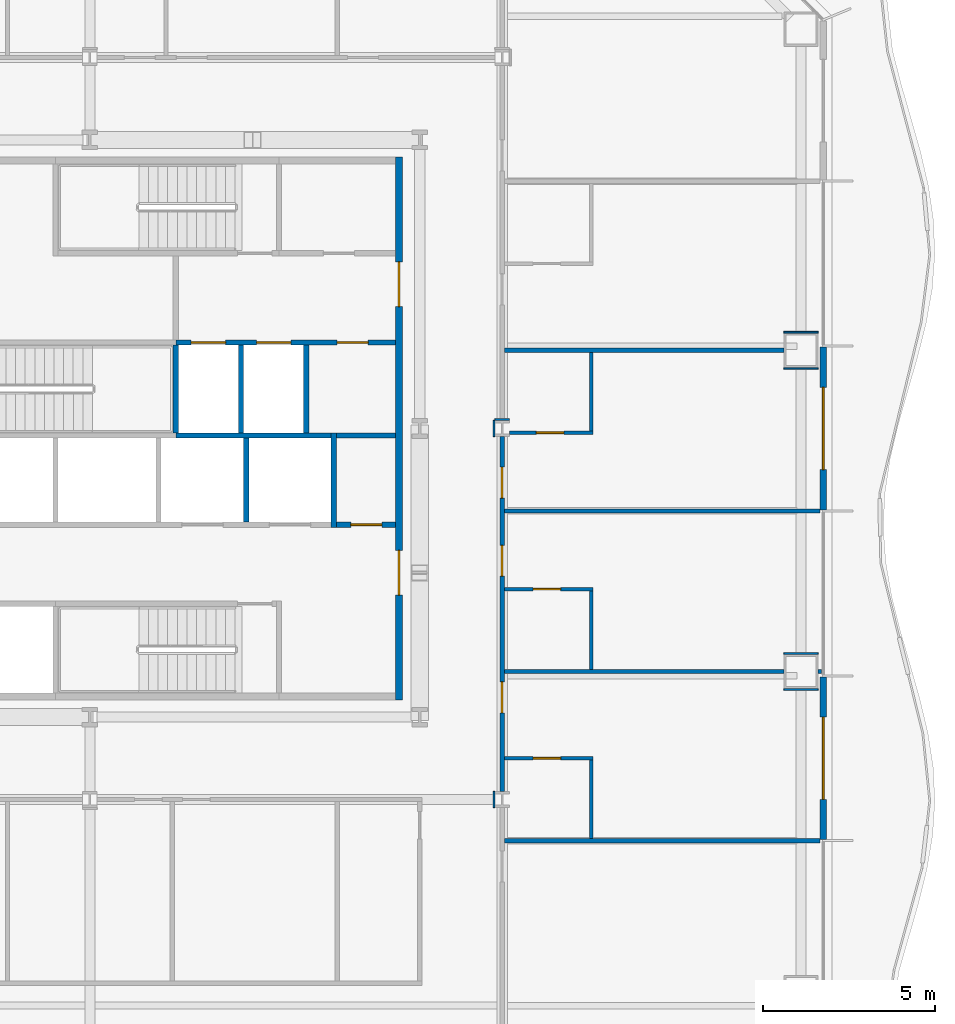
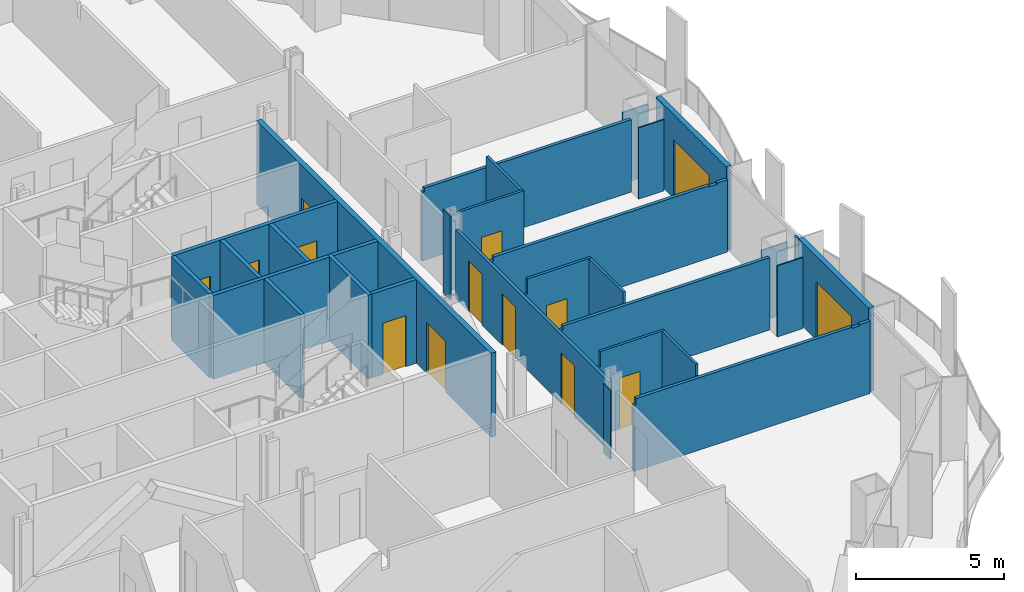
# One storey, part 10 of 20: 31 walls, 14 doors, 14 openings.
"""IFC4 building model written with IfcOpenShell, lengths in metres."""

import ifcopenshell
import ifcopenshell.guid

model = None  # the IFC model being written
_history = None  # IfcOwnerHistory: only IFC2X3 demands one
_inside = {}  # id of a spatial element -> (the spatial element, [elements in it])
_under = {}  # id of a project, library or spatial element -> (it, [spatial elements below it])
_declared = {}  # id of a project -> (the project, [libraries it declares])
_typed = {}  # id of a type object -> (the type object, [elements of that type])
_made_of = {}  # id of a material, layer set ... -> (it, [elements and type objects made of it])


def new_model(schema):
    """Start an empty IFC model of exactly this schema.

    Asked for "IFC4X3", IfcOpenShell would pick the latest addendum, in which some entities
    have other attributes; the version numbers below select the first issue.
    IFC2X3 requires an IfcOwnerHistory on every rooted entity: one is made here for all.
    """
    global model, _history
    if schema == "IFC4X3":
        model = ifcopenshell.file(schema_version=(4, 3, 0, 0))
    else:
        model = ifcopenshell.file(schema=schema)
    _inside.clear()
    _under.clear()
    _declared.clear()
    _typed.clear()
    _made_of.clear()
    _history = None
    if model.schema == "IFC2X3":
        org = make("IfcOrganization", Name="unknown")
        user = make(
            "IfcPersonAndOrganization",
            ThePerson=make("IfcPerson", FamilyName="unknown"),
            TheOrganization=org,
        )
        app = make(
            "IfcApplication",
            ApplicationDeveloper=org,
            Version="unknown",
            ApplicationFullName="unknown",
            ApplicationIdentifier="unknown",
        )
        _history = make(
            "IfcOwnerHistory",
            OwningUser=user,
            OwningApplication=app,
            ChangeAction="ADDED",
            CreationDate=0,
        )
    return model


def make(cls, **values):
    """One entity of the class cls with the attributes given. An attribute that is None is left unset."""
    return model.create_entity(
        cls, **{name: value for name, value in values.items() if value is not None}
    )


def rooted(cls, **values):
    """An entity with a GlobalId (a new one), such as an element, a storey or a relation."""
    return make(cls, GlobalId=ifcopenshell.guid.new(), OwnerHistory=_history, **values)


def si_unit(unit_type, name, prefix=None):
    """IfcSIUnit, for example si_unit("LENGTHUNIT", "METRE", prefix="MILLI")."""
    return make("IfcSIUnit", UnitType=unit_type, Prefix=prefix, Name=name)


def assignment(units):
    """IfcUnitAssignment: the units of a project."""
    return None if units is None else make("IfcUnitAssignment", Units=units)


def point(xyz):
    """IfcCartesianPoint."""
    return None if xyz is None else make("IfcCartesianPoint", Coordinates=xyz)


def direction(xyz):
    """IfcDirection."""
    return None if xyz is None else make("IfcDirection", DirectionRatios=xyz)


def frame(location, z_axis=None, x_axis=None):
    """IfcAxis2Placement3D, a coordinate frame: its origin and axes. An axis left out is left unset."""
    return make(
        "IfcAxis2Placement3D",
        Location=point(location),
        Axis=direction(z_axis),
        RefDirection=direction(x_axis),
    )


def frame_2d(location, x_axis=None):
    """IfcAxis2Placement2D, a coordinate frame in the plane: its origin and x axis."""
    return make(
        "IfcAxis2Placement2D", Location=point(location), RefDirection=direction(x_axis)
    )


def origin():
    """The frame at (0, 0, 0) with its axes left unset."""
    return frame((0.0, 0.0, 0.0))


def place(relative_to, where):
    """IfcLocalPlacement: puts the frame where relative to a parent placement (None: the world)."""
    return make(
        "IfcLocalPlacement", PlacementRelTo=relative_to, RelativePlacement=where
    )


def context(
    kind, dimensions, precision=None, world=None, true_north=None, identifier=None
):
    """IfcGeometricRepresentationContext, for example the 3D "Model" context."""
    return make(
        "IfcGeometricRepresentationContext",
        ContextIdentifier=identifier,
        ContextType=kind,
        CoordinateSpaceDimension=dimensions,
        Precision=precision,
        WorldCoordinateSystem=world,
        TrueNorth=true_north,
    )


def subcontext(parent, identifier, kind, view, scale=None):
    """IfcGeometricRepresentationSubContext, for example "Body" below "Model"."""
    return make(
        "IfcGeometricRepresentationSubContext",
        ContextIdentifier=identifier,
        ContextType=kind,
        ParentContext=parent,
        TargetScale=scale,
        TargetView=view,
    )


def project(units=None, contexts=None):
    """IfcProject with its units and contexts."""
    return rooted(
        "IfcProject",
        Name="project",
        RepresentationContexts=contexts,
        UnitsInContext=assignment(units),
    )


def spatial(cls, under=None, at=None, **own):
    """A site, building, storey or space (cls), placed at a placement, below another one or the project."""
    s = rooted(cls, ObjectPlacement=at, **own)
    if under is not None:
        _under.setdefault(under.id(), (under, []))[1].append(s)
    return s


def polyline(points):
    """IfcPolyline through the points."""
    return make("IfcPolyline", Points=[point(p) for p in points])


def profile(cls, at=None, kind="AREA", **sizes):
    """A parametric profile (cls). Its sizes go by their IFC names, for example OverallWidth=200.0."""
    return make(cls, ProfileType=kind, Position=at, **sizes)


def rectangle(**sizes):
    """IfcRectangleProfileDef."""
    return profile("IfcRectangleProfileDef", **sizes)


def outline(outer, holes=None, kind="AREA"):
    """IfcArbitraryClosedProfileDef: a profile drawn as a closed curve; with holes, ...WithVoids."""
    if holes is None:
        return make("IfcArbitraryClosedProfileDef", ProfileType=kind, OuterCurve=outer)
    return make(
        "IfcArbitraryProfileDefWithVoids",
        ProfileType=kind,
        OuterCurve=outer,
        InnerCurves=holes,
    )


def extrude(swept, where, along, depth):
    """IfcExtrudedAreaSolid: the profile swept, set in the frame where, extruded along a direction by depth."""
    return make(
        "IfcExtrudedAreaSolid",
        SweptArea=swept,
        Position=where,
        ExtrudedDirection=direction(along),
        Depth=depth,
    )


def shape(context_of_items, identifier, shape_type, items):
    """IfcShapeRepresentation: the items that make up one representation, for example the "Body"."""
    return make(
        "IfcShapeRepresentation",
        ContextOfItems=context_of_items,
        RepresentationIdentifier=identifier,
        RepresentationType=shape_type,
        Items=items,
    )


def material(Name=None, Category=None):
    """IfcMaterial."""
    return make("IfcMaterial", Name=Name, Category=Category)


def layer(
    of_material, thickness, ventilated=None, Name=None, Category=None, Priority=None
):
    """IfcMaterialLayer: one layer of a wall or slab, of a material (None: an air gap)."""
    return make(
        "IfcMaterialLayer",
        Material=of_material,
        LayerThickness=thickness,
        IsVentilated=ventilated,
        Name=Name,
        Category=Category,
        Priority=Priority,
    )


def layer_set(layers, Name=None):
    """IfcMaterialLayerSet."""
    return make("IfcMaterialLayerSet", MaterialLayers=layers, LayerSetName=Name)


def made_of(thing, what):
    """Note that an element or type object is made of a material, layer set ...; save() writes the relation."""
    if what is not None:
        _made_of.setdefault(what.id(), (what, []))[1].append(thing)
    return thing


def type_object(cls, material=None, **own):
    """A type object (cls), such as IfcWallType, which elements share."""
    return made_of(rooted(cls, **own), material)


def element(
    cls,
    number,
    at=None,
    inside=None,
    cuts=None,
    type_object=None,
    material=None,
    context=None,
    identifier="Body",
    shape_type=None,
    held_by="IfcProductDefinitionShape",
    body=None,
    shapes=None,
    **own,
):
    """One element of the class cls, such as IfcWall. Its Tag is "e" and its number.

    at: its placement. inside: the storey or other place that contains it. cuts: it is an
    opening in that element (IfcRelVoidsElement). A single representation is given by context,
    identifier, shape_type and body (its items); several are given by shapes. held_by: the class
    of the entity that holds the representations. save() writes the other relations.
    """
    e = rooted(cls, Tag="e%d" % number, ObjectPlacement=at, **own)
    if body is not None:
        shapes = [shape(context, identifier, shape_type, body)]
    if shapes is not None:
        e.Representation = make(held_by, Representations=shapes)
    if inside is not None:
        _inside.setdefault(inside.id(), (inside, []))[1].append(e)
    if cuts is not None:
        rooted(
            "IfcRelVoidsElement", RelatingBuildingElement=cuts, RelatedOpeningElement=e
        )
    if type_object is not None:
        _typed.setdefault(type_object.id(), (type_object, []))[1].append(e)
    return made_of(e, material)


def fill(opening, filler):
    """IfcRelFillsElement: the door or window that sits in an opening."""
    return rooted(
        "IfcRelFillsElement",
        RelatingOpeningElement=opening,
        RelatedBuildingElement=filler,
    )


def aggregate(whole, parts):
    """IfcRelAggregates: a whole, such as a stair, and the parts it consists of."""
    return rooted("IfcRelAggregates", RelatingObject=whole, RelatedObjects=parts)


def save(model, path):
    """Write the relations noted so far, then the file.

    IfcRelAggregates (storeys below a building ...), IfcRelContainedInSpatialStructure (elements
    in a storey), IfcRelDefinesByType, IfcRelAssociatesMaterial and IfcRelDeclares: one each for
    every whole, place, type object, material and project.
    """
    for whole, parts in _under.values():
        aggregate(whole, parts)
    for where, things in _inside.values():
        rooted(
            "IfcRelContainedInSpatialStructure",
            RelatedElements=things,
            RelatingStructure=where,
        )
    for kind, things in _typed.values():
        rooted("IfcRelDefinesByType", RelatedObjects=things, RelatingType=kind)
    for what, things in _made_of.values():
        rooted("IfcRelAssociatesMaterial", RelatedObjects=things, RelatingMaterial=what)
    for by, libraries in _declared.values():
        rooted("IfcRelDeclares", RelatingContext=by, RelatedDefinitions=libraries)
    model.write(path)


model = new_model("IFC4")

# Units and contexts
model_context = context("Model", 3, precision=1e-05, world=origin(), true_north=direction((0.0, 1.0)))
body_context = subcontext(model_context, "Body", "Model", "MODEL_VIEW")
ifc_project = project(units=[si_unit("LENGTHUNIT", "METRE"), si_unit("AREAUNIT", "SQUARE_METRE"), si_unit("VOLUMEUNIT", "CUBIC_METRE"), si_unit("PLANEANGLEUNIT", "RADIAN"), si_unit("MASSUNIT", "GRAM", prefix="KILO")], contexts=[model_context])

# Site, building, storey
site_placement = place(None, origin())
site = spatial("IfcSite", under=ifc_project, at=site_placement, CompositionType="ELEMENT")
building_placement = place(site_placement, origin())
building = spatial("IfcBuilding", under=site, at=building_placement, Name="Cairn Pilgrim Tower", CompositionType="ELEMENT")
storey_placement = place(building_placement, frame((0.0, 0.0, 61.800048828125)))
storey = spatial("IfcBuildingStorey", under=building, at=storey_placement, Name="L13", CompositionType="ELEMENT", Elevation=61.800048828125)

# Wall, opening, door
ifc_material_1 = material(Name="Bronze anodised aluminium insulated sandwich panel with mineral wool fill", Category="aluminium")
ifc_layer_1 = layer(ifc_material_1, 0.199951171875)
ifc_layer_set_1 = layer_set([ifc_layer_1], Name="BRONZE INFILL FRAME WALL 200")
wall_type_1 = type_object("IfcWallType", Name="BRONZE INFILL FRAME WALL 200", PredefinedType="NOTDEFINED", material=ifc_layer_set_1)
wall_1_placement = place(storey_placement, frame((28.550048828125, -9.570068359375, 0.0), z_axis=(0.0, 0.0, 1.0), x_axis=(0.0, 1.0, 0.0)))
wall_1 = element("IfcWall", 1, at=wall_1_placement, inside=storey, type_object=wall_type_1, Name="Bronze infill frame wall IW-E2", PredefinedType="NOTDEFINED", context=body_context, shape_type="SweptSolid", body=[
    extrude(rectangle(XDim=4.739990234375, YDim=0.199951171875, at=frame_2d((2.3701171875, 0.0))), origin(), (0.0, 0.0, 1.0), 3.449951171875),
])
opening_1_placement = place(wall_1_placement, frame((1.169921875, 0.0, 0.0)))
opening_1 = element("IfcOpeningElement", 2, at=opening_1_placement, cuts=wall_1, Name="Opening 1324B", PredefinedType="OPENING", context=body_context, shape_type="SweptSolid", body=[
    extrude(rectangle(XDim=2.39990234375, YDim=2.39990234375, at=frame_2d((1.199951171875, 1.199951171875))), frame((0.0, 0.10986328125, 0.0), z_axis=(0.0, -1.0, 0.0), x_axis=(1.0, 0.0, 0.0)), (0.0, 0.0, 1.0), 0.219970703125),
])
ifc_material_2 = material(Name="Bronze anodised aluminium frame with tinted low-E glass", Category="aluminium")
door_type_1 = type_object("IfcDoorType", Name="BALCONY SLIDING DOOR 2400x2400", OperationType="DOUBLE_DOOR_SLIDING", PredefinedType="DOOR", material=ifc_material_2)
door_1_placement = place(opening_1_placement, origin())
door_1 = element("IfcDoor", 3, at=door_1_placement, inside=storey, type_object=door_type_1, Name="Balcony sliding door 1324B", OperationType="SINGLE_SWING_LEFT", OverallHeight=2.39990234375, OverallWidth=2.39990234375, PredefinedType="DOOR", context=body_context, shape_type="SweptSolid", body=[
    extrude(rectangle(XDim=2.39990234375, YDim=2.39990234375, at=frame_2d((1.199951171875, 1.199951171875))), frame((0.0, 0.02490234375, 0.0), z_axis=(0.0, -1.0, 0.0), x_axis=(1.0, 0.0, 0.0)), (0.0, 0.0, 1.0), 0.050048828125),
])
fill(opening_1, door_1)

wall_2_placement = place(storey_placement, frame((28.550048828125, 0.030029296875, 0.0), z_axis=(0.0, 0.0, 1.0), x_axis=(0.0, 1.0, 0.0)))
wall_2 = element("IfcWall", 4, at=wall_2_placement, inside=storey, type_object=wall_type_1, Name="Bronze infill frame wall IW-E4", PredefinedType="NOTDEFINED", context=body_context, shape_type="SweptSolid", body=[
    extrude(rectangle(XDim=4.739990234375, YDim=0.199951171875, at=frame_2d((2.3701171875, 0.0))), origin(), (0.0, 0.0, 1.0), 3.449951171875),
])
opening_2_placement = place(wall_2_placement, frame((1.169921875, 0.0, 0.0)))
opening_2 = element("IfcOpeningElement", 5, at=opening_2_placement, cuts=wall_2, Name="Opening 1326B", PredefinedType="OPENING", context=body_context, shape_type="SweptSolid", body=[
    extrude(rectangle(XDim=2.39990234375, YDim=2.39990234375, at=frame_2d((1.199951171875, 1.199951171875))), frame((0.0, 0.10986328125, 0.0), z_axis=(0.0, -1.0, 0.0), x_axis=(1.0, 0.0, 0.0)), (0.0, 0.0, 1.0), 0.219970703125),
])
door_2_placement = place(opening_2_placement, origin())
door_2 = element("IfcDoor", 6, at=door_2_placement, inside=storey, type_object=door_type_1, Name="Balcony sliding door 1326B", OperationType="SINGLE_SWING_LEFT", OverallHeight=2.39990234375, OverallWidth=2.39990234375, PredefinedType="DOOR", context=body_context, shape_type="SweptSolid", body=[
    extrude(rectangle(XDim=2.39990234375, YDim=2.39990234375, at=frame_2d((1.199951171875, 1.199951171875))), frame((0.0, 0.02490234375, 0.0), z_axis=(0.0, -1.0, 0.0), x_axis=(1.0, 0.0, 0.0)), (0.0, 0.0, 1.0), 0.050048828125),
])
fill(opening_2, door_2)

# Wall, openings, doors
ifc_material_3 = material(Name="Concrete C32/40", Category="concrete")
ifc_layer_2 = layer(ifc_material_3, 0.199951171875)
ifc_layer_set_2 = layer_set([ifc_layer_2], Name="CORE OUTER WALL 200 EI 120")
wall_type_2 = type_object("IfcWallType", Name="CORE OUTER WALL 200 EI 120", PredefinedType="SOLIDWALL", material=ifc_layer_set_2)
wall_3_placement = place(storey_placement, frame((16.199951171875, -5.5, 0.0), z_axis=(0.0, 0.0, 1.0), x_axis=(0.0, 1.0, 0.0)))
wall_3 = element("IfcWall", 7, at=wall_3_placement, inside=storey, type_object=wall_type_2, Name="CW:L13:V33", PredefinedType="SOLIDWALL", context=body_context, shape_type="SweptSolid", body=[
    extrude(rectangle(XDim=15.800048828125, YDim=0.199951171875, at=frame_2d((7.89990234375, 0.0))), origin(), (0.0, 0.0, 1.0), 3.449951171875),
])
opening_3_placement = place(wall_3_placement, frame((3.050048828125, 0.0, 0.0)))
opening_3 = element("IfcOpeningElement", 8, at=opening_3_placement, cuts=wall_3, Name="Opening CD-E1", PredefinedType="OPENING", context=body_context, shape_type="SweptSolid", body=[
    extrude(rectangle(XDim=1.300048828125, YDim=2.10009765625, at=frame_2d((0.64990234375, 1.050048828125))), frame((0.0, 0.10986328125, 0.0), z_axis=(0.0, -1.0, 0.0), x_axis=(1.0, 0.0, 0.0)), (0.0, 0.0, 1.0), 0.219970703125),
])
opening_4_placement = place(wall_3_placement, frame((11.449951171875, 0.0, 0.0)))
opening_4 = element("IfcOpeningElement", 9, at=opening_4_placement, cuts=wall_3, Name="Opening CD-E2", PredefinedType="OPENING", context=body_context, shape_type="SweptSolid", body=[
    extrude(rectangle(XDim=1.300048828125, YDim=2.10009765625, at=frame_2d((0.64990234375, 1.050048828125))), frame((0.0, 0.10986328125, 0.0), z_axis=(0.0, -1.0, 0.0), x_axis=(1.0, 0.0, 0.0)), (0.0, 0.0, 1.0), 0.219970703125),
])
ifc_material_4 = material(Name="Painted steel", Category="steel")
door_type_2 = type_object("IfcDoorType", Name="CORE LOBBY DOOR 1300x2100", OperationType="DOUBLE_DOOR_SINGLE_SWING", PredefinedType="DOOR", material=ifc_material_4)
door_3_placement = place(opening_3_placement, origin())
door_3 = element("IfcDoor", 10, at=door_3_placement, inside=storey, type_object=door_type_2, Name="CD-E1", OperationType="DOUBLE_DOOR_SINGLE_SWING", OverallHeight=2.10009765625, OverallWidth=1.300048828125, PredefinedType="DOOR", context=body_context, shape_type="SweptSolid", body=[
    extrude(rectangle(XDim=1.300048828125, YDim=2.10009765625, at=frame_2d((0.64990234375, 1.050048828125))), frame((0.0, 0.02490234375, 0.0), z_axis=(0.0, -1.0, 0.0), x_axis=(1.0, 0.0, 0.0)), (0.0, 0.0, 1.0), 0.050048828125),
])
fill(opening_3, door_3)
door_4_placement = place(opening_4_placement, origin())
door_4 = element("IfcDoor", 11, at=door_4_placement, inside=storey, type_object=door_type_2, Name="CD-E2", OperationType="DOUBLE_DOOR_SINGLE_SWING", OverallHeight=2.10009765625, OverallWidth=1.300048828125, PredefinedType="DOOR", context=body_context, shape_type="SweptSolid", body=[
    extrude(rectangle(XDim=1.300048828125, YDim=2.10009765625, at=frame_2d((0.64990234375, 1.050048828125))), frame((0.0, 0.02490234375, 0.0), z_axis=(0.0, -1.0, 0.0), x_axis=(1.0, 0.0, 0.0)), (0.0, 0.0, 1.0), 0.050048828125),
])
fill(opening_4, door_4)

# Wall, opening, door
ifc_layer_3 = layer(ifc_material_3, 0.14990234375)
ifc_layer_set_3 = layer_set([ifc_layer_3], Name="CORE PARTITION 150 EI 60")
wall_type_3 = type_object("IfcWallType", Name="CORE PARTITION 150 EI 60", PredefinedType="PARTITIONING", material=ifc_layer_set_3)
wall_4_placement = place(storey_placement, frame((14.375, -0.39990234375, 0.0), z_axis=(0.0, 0.0, 1.0), x_axis=(1.0, 0.0, 0.0)))
wall_4 = element("IfcWall", 12, at=wall_4_placement, inside=storey, type_object=wall_type_3, Name="CW:L13:H04", PredefinedType="PARTITIONING", context=body_context, shape_type="SweptSolid", body=[
    extrude(rectangle(XDim=1.72509765625, YDim=0.14990234375, at=frame_2d((0.862548828125, 0.0))), origin(), (0.0, 0.0, 1.0), 3.449951171875),
])
opening_5_placement = place(wall_4_placement, frame((0.425048828125, 0.0, 0.0)))
opening_5 = element("IfcOpeningElement", 13, at=opening_5_placement, cuts=wall_4, Name="Opening RD-R2E", PredefinedType="OPENING", context=body_context, shape_type="SweptSolid", body=[
    extrude(rectangle(XDim=0.89990234375, YDim=2.10009765625, at=frame_2d((0.449951171875, 1.050048828125))), frame((0.0, 0.0849609375, 0.0), z_axis=(0.0, -1.0, 0.0), x_axis=(1.0, 0.0, 0.0)), (0.0, 0.0, 1.0), 0.169921875),
])
door_type_3 = type_object("IfcDoorType", Name="SERVICE ROOM DOOR 900x2100", OperationType="SINGLE_SWING_LEFT", PredefinedType="DOOR", material=ifc_material_4)
door_5_placement = place(opening_5_placement, origin())
door_5 = element("IfcDoor", 14, at=door_5_placement, inside=storey, type_object=door_type_3, Name="RD-R2E", OperationType="SINGLE_SWING_LEFT", OverallHeight=2.10009765625, OverallWidth=0.89990234375, PredefinedType="DOOR", context=body_context, shape_type="SweptSolid", body=[
    extrude(rectangle(XDim=0.89990234375, YDim=2.10009765625, at=frame_2d((0.449951171875, 1.050048828125))), frame((0.0, 0.02490234375, 0.0), z_axis=(0.0, -1.0, 0.0), x_axis=(1.0, 0.0, 0.0)), (0.0, 0.0, 1.0), 0.050048828125),
])
fill(opening_5, door_5)

# Walls
wall_5_placement = place(storey_placement, frame((14.375, 2.199951171875, 0.0), z_axis=(0.0, 0.0, 1.0), x_axis=(1.0, 0.0, 0.0)))
element("IfcWall", 15, at=wall_5_placement, inside=storey, type_object=wall_type_3, Name="CW:L13:H06", PredefinedType="PARTITIONING", context=body_context, shape_type="SweptSolid", body=[
    extrude(rectangle(XDim=1.72509765625, YDim=0.14990234375, at=frame_2d((0.862548828125, 0.0))), origin(), (0.0, 0.0, 1.0), 3.449951171875),
])
ifc_layer_4 = layer(ifc_material_3, 0.14990234375)
ifc_layer_set_4 = layer_set([ifc_layer_4], Name="CORE SHAFT WALL 150 EI 120")
wall_type_4 = type_object("IfcWallType", Name="CORE SHAFT WALL 150 EI 120", PredefinedType="SOLIDWALL", material=ifc_layer_set_4)
wall_6_placement = place(storey_placement, frame((9.699951171875, 2.199951171875, 0.0), z_axis=(0.0, 0.0, 1.0), x_axis=(1.0, 0.0, 0.0)))
element("IfcWall", 16, at=wall_6_placement, inside=storey, type_object=wall_type_4, Name="CW:L13:H05-3", PredefinedType="SOLIDWALL", context=body_context, shape_type="SweptSolid", body=[
    extrude(rectangle(XDim=4.525146484375, YDim=0.14990234375, at=frame_2d((2.2626953125, 0.0))), origin(), (0.0, 0.0, 1.0), 3.449951171875),
])

# Wall, openings, doors
wall_7_placement = place(storey_placement, frame((9.699951171875, 4.89990234375, 0.0), z_axis=(0.0, 0.0, 1.0), x_axis=(1.0, 0.0, 0.0)))
wall_7 = element("IfcWall", 17, at=wall_7_placement, inside=storey, type_object=wall_type_4, Name="CW:L13:H08-2", PredefinedType="SOLIDWALL", context=body_context, shape_type="SweptSolid", body=[
    extrude(rectangle(XDim=6.400146484375, YDim=0.14990234375, at=frame_2d((3.2001953125, 0.0))), origin(), (0.0, 0.0, 1.0), 3.449951171875),
])
opening_6_placement = place(wall_7_placement, frame((0.449951171875, 0.0, 0.0)))
opening_6 = element("IfcOpeningElement", 18, at=opening_6_placement, cuts=wall_7, Name="Opening LD-FF1", PredefinedType="OPENING", context=body_context, shape_type="SweptSolid", body=[
    extrude(rectangle(XDim=1.0, YDim=2.10009765625, at=frame_2d((0.5, 1.050048828125))), frame((0.0, 0.0849609375, 0.0), z_axis=(0.0, -1.0, 0.0), x_axis=(1.0, 0.0, 0.0)), (0.0, 0.0, 1.0), 0.169921875),
])
opening_7_placement = place(wall_7_placement, frame((2.35009765625, 0.0, 0.0)))
opening_7 = element("IfcOpeningElement", 19, at=opening_7_placement, cuts=wall_7, Name="Opening LD-FF2", PredefinedType="OPENING", context=body_context, shape_type="SweptSolid", body=[
    extrude(rectangle(XDim=1.0, YDim=2.10009765625, at=frame_2d((0.5, 1.050048828125))), frame((0.0, 0.0849609375, 0.0), z_axis=(0.0, -1.0, 0.0), x_axis=(1.0, 0.0, 0.0)), (0.0, 0.0, 1.0), 0.169921875),
])
opening_8_placement = place(wall_7_placement, frame((4.699951171875, 0.0, 0.0)))
opening_8 = element("IfcOpeningElement", 20, at=opening_8_placement, cuts=wall_7, Name="Opening RD-R3E", PredefinedType="OPENING", context=body_context, shape_type="SweptSolid", body=[
    extrude(rectangle(XDim=0.89990234375, YDim=2.10009765625, at=frame_2d((0.449951171875, 1.050048828125))), frame((0.0, 0.0849609375, 0.0), z_axis=(0.0, -1.0, 0.0), x_axis=(1.0, 0.0, 0.0)), (0.0, 0.0, 1.0), 0.169921875),
])
ifc_material_5 = material(Name="Stainless steel", Category="steel")
door_type_4 = type_object("IfcDoorType", Name="LIFT LANDING DOOR FIRE 1000x2100", OperationType="DOUBLE_DOOR_SLIDING", PredefinedType="DOOR", material=ifc_material_5)
door_6_placement = place(opening_6_placement, origin())
door_6 = element("IfcDoor", 21, at=door_6_placement, inside=storey, type_object=door_type_4, Name="LANDING DOOR FF1", OperationType="DOUBLE_DOOR_SLIDING", OverallHeight=2.10009765625, OverallWidth=1.0, PredefinedType="DOOR", context=body_context, shape_type="SweptSolid", body=[
    extrude(rectangle(XDim=1.0, YDim=2.10009765625, at=frame_2d((0.5, 1.050048828125))), frame((0.0, 0.02490234375, 0.0), z_axis=(0.0, -1.0, 0.0), x_axis=(1.0, 0.0, 0.0)), (0.0, 0.0, 1.0), 0.050048828125),
])
fill(opening_6, door_6)
door_7_placement = place(opening_7_placement, origin())
door_7 = element("IfcDoor", 22, at=door_7_placement, inside=storey, type_object=door_type_4, Name="LANDING DOOR FF2", OperationType="DOUBLE_DOOR_SLIDING", OverallHeight=2.10009765625, OverallWidth=1.0, PredefinedType="DOOR", context=body_context, shape_type="SweptSolid", body=[
    extrude(rectangle(XDim=1.0, YDim=2.10009765625, at=frame_2d((0.5, 1.050048828125))), frame((0.0, 0.02490234375, 0.0), z_axis=(0.0, -1.0, 0.0), x_axis=(1.0, 0.0, 0.0)), (0.0, 0.0, 1.0), 0.050048828125),
])
fill(opening_7, door_7)
door_8_placement = place(opening_8_placement, origin())
door_8 = element("IfcDoor", 23, at=door_8_placement, inside=storey, type_object=door_type_3, Name="RD-R3E", OperationType="SINGLE_SWING_RIGHT", OverallHeight=2.10009765625, OverallWidth=0.89990234375, PredefinedType="DOOR", context=body_context, shape_type="SweptSolid", body=[
    extrude(rectangle(XDim=0.89990234375, YDim=2.10009765625, at=frame_2d((0.449951171875, 1.050048828125))), frame((0.0, 0.02490234375, 0.0), z_axis=(0.0, -1.0, 0.0), x_axis=(1.0, 0.0, 0.0)), (0.0, 0.0, 1.0), 0.050048828125),
])
fill(opening_8, door_8)

# Walls
wall_8_placement = place(storey_placement, frame((11.60009765625, 2.27490234375, 0.0), z_axis=(0.0, 0.0, 1.0), x_axis=(0.0, 1.0, 0.0)))
element("IfcWall", 24, at=wall_8_placement, inside=storey, type_object=wall_type_4, Name="CW:L13:V27", PredefinedType="SOLIDWALL", context=body_context, shape_type="SweptSolid", body=[
    extrude(rectangle(XDim=2.550048828125, YDim=0.14990234375, at=frame_2d((1.27490234375, 0.0))), origin(), (0.0, 0.0, 1.0), 3.449951171875),
])
wall_9_placement = place(storey_placement, frame((11.75, -0.324951171875, 0.0), z_axis=(0.0, 0.0, 1.0), x_axis=(0.0, 1.0, 0.0)))
element("IfcWall", 25, at=wall_9_placement, inside=storey, type_object=wall_type_4, Name="CW:L13:V28", PredefinedType="SOLIDWALL", context=body_context, shape_type="SweptSolid", body=[
    extrude(rectangle(XDim=2.449951171875, YDim=0.14990234375, at=frame_2d((1.22509765625, 0.0))), origin(), (0.0, 0.0, 1.0), 3.449951171875),
])
wall_10_placement = place(storey_placement, frame((13.5, 2.27490234375, 0.0), z_axis=(0.0, 0.0, 1.0), x_axis=(0.0, 1.0, 0.0)))
element("IfcWall", 26, at=wall_10_placement, inside=storey, type_object=wall_type_4, Name="CW:L13:V31", PredefinedType="SOLIDWALL", context=body_context, shape_type="SweptSolid", body=[
    extrude(rectangle(XDim=2.550048828125, YDim=0.14990234375, at=frame_2d((1.27490234375, 0.0))), origin(), (0.0, 0.0, 1.0), 3.449951171875),
])
wall_11_placement = place(storey_placement, frame((14.300048828125, -0.47509765625, 0.0), z_axis=(0.0, 0.0, 1.0), x_axis=(0.0, 1.0, 0.0)))
element("IfcWall", 27, at=wall_11_placement, inside=storey, type_object=wall_type_4, Name="CW:L13:V32", PredefinedType="SOLIDWALL", context=body_context, shape_type="SweptSolid", body=[
    extrude(rectangle(XDim=2.75, YDim=0.14990234375, at=frame_2d((1.375, 0.0))), origin(), (0.0, 0.0, 1.0), 3.449951171875),
])
ifc_material_6 = material(Name="Gypsum partition")
ifc_layer_5 = layer(ifc_material_6, 0.10009765625)
ifc_layer_set_5 = layer_set([ifc_layer_5], Name="PARTITION 100 DRYWALL")
wall_type_5 = type_object("IfcWallType", Name="PARTITION 100 DRYWALL", PredefinedType="PARTITIONING", material=ifc_layer_set_5)
wall_12_placement = place(storey_placement, frame((21.800048828125, -9.53759765625, 0.0), z_axis=(0.0, 0.0, 1.0), x_axis=(0.0, 1.0, 0.0)))
element("IfcWall", 28, at=wall_12_placement, inside=storey, type_object=wall_type_5, Name="PARTITION W027", PredefinedType="PARTITIONING", context=body_context, shape_type="SweptSolid", body=[
    extrude(outline(polyline([(0.0, 0.0), (2.28759765625, 0.0), (2.28759765625, 3.449951171875), (0.032470703125, 3.449951171875), (0.030517578125, 2.97998046875), (0.0, 2.97998046875), (0.0, 0.0)])), frame((0.0, 0.050048828125, 0.0), z_axis=(0.0, -1.0, 0.0), x_axis=(1.0, 0.0, 0.0)), (0.0, 0.0, 1.0), 0.10009765625),
])

# Wall, opening, door
wall_13_placement = place(storey_placement, frame((19.262451171875, -7.199951171875, 0.0), z_axis=(0.0, 0.0, 1.0), x_axis=(1.0, 0.0, 0.0)))
wall_13 = element("IfcWall", 29, at=wall_13_placement, inside=storey, type_object=wall_type_5, Name="PARTITION W034", PredefinedType="PARTITIONING", context=body_context, shape_type="SweptSolid", body=[
    extrude(outline(polyline([(0.0, 0.0), (2.587646484375, 0.0), (2.58740234375, 3.449951171875), (0.08740234375, 3.449951171875), (0.08544921875, 2.829833984375), (0.0, 2.829833984375), (0.0, 0.0)])), frame((0.0, 0.050048828125, 0.0), z_axis=(0.0, -1.0, 0.0), x_axis=(1.0, 0.0, 0.0)), (0.0, 0.0, 1.0), 0.10009765625),
])
opening_9_placement = place(wall_13_placement, frame((0.83740234375, 0.0, 0.0)))
opening_9 = element("IfcOpeningElement", 30, at=opening_9_placement, cuts=wall_13, Name="Opening 1324E", PredefinedType="OPENING", context=body_context, shape_type="SweptSolid", body=[
    extrude(rectangle(XDim=0.800048828125, YDim=2.10009765625, at=frame_2d((0.39990234375, 1.050048828125))), frame((0.0, 0.06005859375, 0.0), z_axis=(0.0, -1.0, 0.0), x_axis=(1.0, 0.0, 0.0)), (0.0, 0.0, 1.0), 0.1201171875),
])
ifc_material_7 = material(Name="Timber door leaf", Category="wood")
door_type_5 = type_object("IfcDoorType", Name="DOOR 800x2100", OperationType="NOTDEFINED", PredefinedType="DOOR", material=ifc_material_7)
door_9_placement = place(opening_9_placement, frame((0.800048828125, 0.0, 0.0), z_axis=(0.0, 0.0, 1.0), x_axis=(-1.0, 0.0, 0.0)))
door_9 = element("IfcDoor", 31, at=door_9_placement, inside=storey, type_object=door_type_5, Name="DOOR 1324E", OperationType="SINGLE_SWING_RIGHT", OverallHeight=2.10009765625, OverallWidth=0.800048828125, PredefinedType="DOOR", context=body_context, shape_type="SweptSolid", body=[
    extrude(rectangle(XDim=0.800048828125, YDim=2.10009765625, at=frame_2d((0.39990234375, 1.050048828125))), frame((0.0, 0.02490234375, 0.0), z_axis=(0.0, -1.0, 0.0), x_axis=(1.0, 0.0, 0.0)), (0.0, 0.0, 1.0), 0.050048828125),
])
fill(opening_9, door_9)

# Wall
wall_14_placement = place(storey_placement, frame((21.800048828125, -4.613525390625, 0.0), z_axis=(0.0, 0.0, 1.0), x_axis=(0.0, 1.0, 0.0)))
element("IfcWall", 32, at=wall_14_placement, inside=storey, type_object=wall_type_5, Name="PARTITION W040", PredefinedType="PARTITIONING", context=body_context, shape_type="SweptSolid", body=[
    extrude(rectangle(XDim=2.28759765625, YDim=0.10009765625, at=frame_2d((1.143798828125, 0.0))), origin(), (0.0, 0.0, 1.0), 3.449951171875),
])

# Wall, opening, door
wall_15_placement = place(storey_placement, frame((19.262451171875, -2.27587890625, 0.0), z_axis=(0.0, 0.0, 1.0), x_axis=(1.0, 0.0, 0.0)))
wall_15 = element("IfcWall", 33, at=wall_15_placement, inside=storey, type_object=wall_type_5, Name="PARTITION W041", PredefinedType="PARTITIONING", context=body_context, shape_type="SweptSolid", body=[
    extrude(outline(polyline([(0.0, 0.0), (2.587646484375, 0.0), (2.58740234375, 3.449951171875), (0.08740234375, 3.449951171875), (0.08544921875, 2.829833984375), (0.0, 2.829833984375), (0.0, 0.0)])), frame((0.0, 0.050048828125, 0.0), z_axis=(0.0, -1.0, 0.0), x_axis=(1.0, 0.0, 0.0)), (0.0, 0.0, 1.0), 0.10009765625),
])
opening_10_placement = place(wall_15_placement, frame((0.83740234375, 0.0, 0.0)))
opening_10 = element("IfcOpeningElement", 34, at=opening_10_placement, cuts=wall_15, Name="Opening 1325E", PredefinedType="OPENING", context=body_context, shape_type="SweptSolid", body=[
    extrude(rectangle(XDim=0.800048828125, YDim=2.10009765625, at=frame_2d((0.39990234375, 1.050048828125))), frame((0.0, 0.06005859375, 0.0), z_axis=(0.0, -1.0, 0.0), x_axis=(1.0, 0.0, 0.0)), (0.0, 0.0, 1.0), 0.1201171875),
])
door_10_placement = place(opening_10_placement, frame((0.800048828125, 0.0, 0.0), z_axis=(0.0, 0.0, 1.0), x_axis=(-1.0, 0.0, 0.0)))
door_10 = element("IfcDoor", 35, at=door_10_placement, inside=storey, type_object=door_type_5, Name="DOOR 1325E", OperationType="SINGLE_SWING_RIGHT", OverallHeight=2.10009765625, OverallWidth=0.800048828125, PredefinedType="DOOR", context=body_context, shape_type="SweptSolid", body=[
    extrude(rectangle(XDim=0.800048828125, YDim=2.10009765625, at=frame_2d((0.39990234375, 1.050048828125))), frame((0.0, 0.02490234375, 0.0), z_axis=(0.0, -1.0, 0.0), x_axis=(1.0, 0.0, 0.0)), (0.0, 0.0, 1.0), 0.050048828125),
])
fill(opening_10, door_10)

wall_16_placement = place(storey_placement, frame((19.412109375, 2.27587890625, 0.0), z_axis=(0.0, 0.0, 1.0), x_axis=(1.0, 0.0, 0.0)))
wall_16 = element("IfcWall", 36, at=wall_16_placement, inside=storey, type_object=wall_type_5, Name="PARTITION W046", PredefinedType="PARTITIONING", context=body_context, shape_type="SweptSolid", body=[
    extrude(rectangle(XDim=2.43798828125, YDim=0.10009765625, at=frame_2d((1.218994140625, 0.0))), origin(), (0.0, 0.0, 1.0), 3.449951171875),
])
opening_11_placement = place(wall_16_placement, frame((0.7880859375, 0.0, 0.0)))
opening_11 = element("IfcOpeningElement", 37, at=opening_11_placement, cuts=wall_16, Name="Opening 1326E", PredefinedType="OPENING", context=body_context, shape_type="SweptSolid", body=[
    extrude(rectangle(XDim=0.800048828125, YDim=2.10009765625, at=frame_2d((0.39990234375, 1.050048828125))), frame((0.0, 0.06005859375, 0.0), z_axis=(0.0, -1.0, 0.0), x_axis=(1.0, 0.0, 0.0)), (0.0, 0.0, 1.0), 0.1201171875),
])
door_11_placement = place(opening_11_placement, origin())
door_11 = element("IfcDoor", 38, at=door_11_placement, inside=storey, type_object=door_type_5, Name="DOOR 1326E", OperationType="SINGLE_SWING_RIGHT", OverallHeight=2.10009765625, OverallWidth=0.800048828125, PredefinedType="DOOR", context=body_context, shape_type="SweptSolid", body=[
    extrude(rectangle(XDim=0.800048828125, YDim=2.10009765625, at=frame_2d((0.39990234375, 1.050048828125))), frame((0.0, 0.02490234375, 0.0), z_axis=(0.0, -1.0, 0.0), x_axis=(1.0, 0.0, 0.0)), (0.0, 0.0, 1.0), 0.050048828125),
])
fill(opening_11, door_11)

# Walls
wall_17_placement = place(storey_placement, frame((21.800048828125, 2.325927734375, 0.0), z_axis=(0.0, 0.0, 1.0), x_axis=(0.0, 1.0, 0.0)))
element("IfcWall", 39, at=wall_17_placement, inside=storey, type_object=wall_type_5, Name="PARTITION W047", PredefinedType="PARTITIONING", context=body_context, shape_type="SweptSolid", body=[
    extrude(rectangle(XDim=2.28759765625, YDim=0.10009765625, at=frame_2d((1.143798828125, 0.0))), origin(), (0.0, 0.0, 1.0), 3.449951171875),
])
ifc_layer_6 = layer(ifc_material_6, 0.125)
ifc_layer_set_6 = layer_set([ifc_layer_6], Name="PARTITION 125 DRYWALL EI 60")
wall_type_6 = type_object("IfcWallType", Name="PARTITION 125 DRYWALL EI 60", PredefinedType="PARTITIONING", material=ifc_layer_set_6)
wall_18_placement = place(storey_placement, frame((19.262451171875, -9.60009765625, 0.0), z_axis=(0.0, 0.0, 1.0), x_axis=(1.0, 0.0, 0.0)))
element("IfcWall", 40, at=wall_18_placement, inside=storey, type_object=wall_type_6, Name="PARTITION W026", PredefinedType="PARTITIONING", context=body_context, shape_type="SweptSolid", body=[
    extrude(outline(polyline([(0.0, 0.0), (9.1875, 0.0), (9.1875, 2.97998046875), (8.78759765625, 2.97998046875), (8.785400390625, 2.929931640625), (8.487548828125, 2.929931640625), (8.485595703125, 2.97998046875), (0.08740234375, 2.97998046875), (0.08544921875, 2.72998046875), (0.0, 2.72998046875), (0.0, 0.0)])), frame((0.0, 0.0625, 0.0), z_axis=(0.0, -1.0, 0.0), x_axis=(1.0, 0.0, 0.0)), (0.0, 0.0, 1.0), 0.125),
])

# Wall, openings, doors
wall_19_placement = place(storey_placement, frame((19.199951171875, -8.1630859375, 0.0), z_axis=(0.0, 0.0, 1.0), x_axis=(0.0, 1.0, 0.0)))
wall_19 = element("IfcWall", 41, at=wall_19_placement, inside=storey, type_object=wall_type_6, Name="PARTITION W033", PredefinedType="PARTITIONING", context=body_context, shape_type="SweptSolid", body=[
    extrude(rectangle(XDim=10.326171875, YDim=0.125, at=frame_2d((5.1630859375, 0.0))), origin(), (0.0, 0.0, 1.0), 2.829833984375),
])
opening_12_placement = place(wall_19_placement, frame((2.287109375, 0.0, 0.0)))
opening_12 = element("IfcOpeningElement", 42, at=opening_12_placement, cuts=wall_19, Name="Opening 1324", PredefinedType="OPENING", context=body_context, shape_type="SweptSolid", body=[
    extrude(rectangle(XDim=0.89990234375, YDim=2.10009765625, at=frame_2d((0.449951171875, 1.050048828125))), frame((0.0, 0.072509765625, 0.0), z_axis=(0.0, -1.0, 0.0), x_axis=(1.0, 0.0, 0.0)), (0.0, 0.0, 1.0), 0.14501953125),
])
opening_13_placement = place(wall_19_placement, frame((6.262939453125, 0.0, 0.0)))
opening_13 = element("IfcOpeningElement", 43, at=opening_13_placement, cuts=wall_19, Name="Opening 1325", PredefinedType="OPENING", context=body_context, shape_type="SweptSolid", body=[
    extrude(rectangle(XDim=0.89990234375, YDim=2.10009765625, at=frame_2d((0.449951171875, 1.050048828125))), frame((0.0, 0.072509765625, 0.0), z_axis=(0.0, -1.0, 0.0), x_axis=(1.0, 0.0, 0.0)), (0.0, 0.0, 1.0), 0.14501953125),
])
opening_14_placement = place(wall_19_placement, frame((8.5390625, 0.0, 0.0)))
opening_14 = element("IfcOpeningElement", 44, at=opening_14_placement, cuts=wall_19, Name="Opening 1326", PredefinedType="OPENING", context=body_context, shape_type="SweptSolid", body=[
    extrude(rectangle(XDim=0.89990234375, YDim=2.10009765625, at=frame_2d((0.449951171875, 1.050048828125))), frame((0.0, 0.072509765625, 0.0), z_axis=(0.0, -1.0, 0.0), x_axis=(1.0, 0.0, 0.0)), (0.0, 0.0, 1.0), 0.14501953125),
])
ifc_material_8 = material(Name="Steel-faced fire door leaf", Category="steel")
door_type_6 = type_object("IfcDoorType", Name="FIRE DOOR 900x2100 FD30S", OperationType="NOTDEFINED", PredefinedType="DOOR", material=ifc_material_8)
door_12_placement = place(opening_12_placement, frame((0.89990234375, 0.0, 0.0), z_axis=(0.0, 0.0, 1.0), x_axis=(-1.0, 0.0, 0.0)))
door_12 = element("IfcDoor", 45, at=door_12_placement, inside=storey, type_object=door_type_6, Name="DOOR 1324", OperationType="SINGLE_SWING_LEFT", OverallHeight=2.10009765625, OverallWidth=0.89990234375, PredefinedType="DOOR", context=body_context, shape_type="SweptSolid", body=[
    extrude(rectangle(XDim=0.89990234375, YDim=2.10009765625, at=frame_2d((0.449951171875, 1.050048828125))), frame((0.0, 0.02490234375, 0.0), z_axis=(0.0, -1.0, 0.0), x_axis=(1.0, 0.0, 0.0)), (0.0, 0.0, 1.0), 0.050048828125),
])
fill(opening_12, door_12)
door_13_placement = place(opening_13_placement, frame((0.89990234375, 0.0, 0.0), z_axis=(0.0, 0.0, 1.0), x_axis=(-1.0, 0.0, 0.0)))
door_13 = element("IfcDoor", 46, at=door_13_placement, inside=storey, type_object=door_type_6, Name="DOOR 1325", OperationType="SINGLE_SWING_LEFT", OverallHeight=2.10009765625, OverallWidth=0.89990234375, PredefinedType="DOOR", context=body_context, shape_type="SweptSolid", body=[
    extrude(rectangle(XDim=0.89990234375, YDim=2.10009765625, at=frame_2d((0.449951171875, 1.050048828125))), frame((0.0, 0.02490234375, 0.0), z_axis=(0.0, -1.0, 0.0), x_axis=(1.0, 0.0, 0.0)), (0.0, 0.0, 1.0), 0.050048828125),
])
fill(opening_13, door_13)
door_14_placement = place(opening_14_placement, frame((0.89990234375, 0.0, 0.0), z_axis=(0.0, 0.0, 1.0), x_axis=(-1.0, 0.0, 0.0)))
door_14 = element("IfcDoor", 47, at=door_14_placement, inside=storey, type_object=door_type_6, Name="DOOR 1326", OperationType="SINGLE_SWING_LEFT", OverallHeight=2.10009765625, OverallWidth=0.89990234375, PredefinedType="DOOR", context=body_context, shape_type="SweptSolid", body=[
    extrude(rectangle(XDim=0.89990234375, YDim=2.10009765625, at=frame_2d((0.449951171875, 1.050048828125))), frame((0.0, 0.02490234375, 0.0), z_axis=(0.0, -1.0, 0.0), x_axis=(1.0, 0.0, 0.0)), (0.0, 0.0, 1.0), 0.050048828125),
])
fill(opening_14, door_14)

# Walls
wall_20_placement = place(storey_placement, frame((19.262451171875, -4.676025390625, 0.0), z_axis=(0.0, 0.0, 1.0), x_axis=(1.0, 0.0, 0.0)))
element("IfcWall", 48, at=wall_20_placement, inside=storey, type_object=wall_type_6, Name="PARTITION W038", PredefinedType="PARTITIONING", context=body_context, shape_type="SweptSolid", body=[
    extrude(outline(polyline([(0.0, 0.0), (8.137451171875, 0.0), (8.137451171875, 2.97998046875), (0.08740234375, 2.97998046875), (0.08544921875, 2.829833984375), (0.0, 2.829833984375), (0.0, 0.0)])), frame((0.0, 0.0625, 0.0), z_axis=(0.0, -1.0, 0.0), x_axis=(1.0, 0.0, 0.0)), (0.0, 0.0, 1.0), 0.125),
])
wall_21_placement = place(storey_placement, frame((28.39990234375, -4.676025390625, 0.0), z_axis=(0.0, 0.0, 1.0), x_axis=(1.0, 0.0, 0.0)))
element("IfcWall", 49, at=wall_21_placement, inside=storey, type_object=wall_type_6, Name="PARTITION W039", PredefinedType="PARTITIONING", context=body_context, shape_type="SweptSolid", body=[
    extrude(rectangle(XDim=0.10302734375, YDim=0.125, at=frame_2d((0.051513671875, 0.0))), origin(), (0.0, 0.0, 1.0), 3.449951171875),
])
wall_22_placement = place(storey_placement, frame((19.262451171875, 0.0, 0.0), z_axis=(0.0, 0.0, 1.0), x_axis=(1.0, 0.0, 0.0)))
element("IfcWall", 50, at=wall_22_placement, inside=storey, type_object=wall_type_6, Name="PARTITION W045", PredefinedType="PARTITIONING", context=body_context, shape_type="SweptSolid", body=[
    extrude(outline(polyline([(0.0, 0.0), (9.1875, 0.0), (9.1875, 2.97998046875), (8.78759765625, 2.97998046875), (8.785400390625, 2.929931640625), (8.487548828125, 2.929931640625), (8.485595703125, 2.97998046875), (0.08740234375, 2.97998046875), (0.08544921875, 2.829833984375), (0.0, 2.829833984375), (0.0, 0.0)])), frame((0.0, 0.0625, 0.0), z_axis=(0.0, -1.0, 0.0), x_axis=(1.0, 0.0, 0.0)), (0.0, 0.0, 1.0), 0.125),
])
wall_23_placement = place(storey_placement, frame((19.262451171875, 4.676025390625, 0.0), z_axis=(0.0, 0.0, 1.0), x_axis=(1.0, 0.0, 0.0)))
element("IfcWall", 51, at=wall_23_placement, inside=storey, type_object=wall_type_6, Name="PARTITION W054", PredefinedType="PARTITIONING", context=body_context, shape_type="SweptSolid", body=[
    extrude(outline(polyline([(0.0, 0.0), (8.137451171875, 0.0), (8.137451171875, 2.97998046875), (0.08740234375, 2.97998046875), (0.08544921875, 2.829833984375), (0.0, 2.829833984375), (0.0, 0.0)])), frame((0.0, 0.0625, 0.0), z_axis=(0.0, -1.0, 0.0), x_axis=(1.0, 0.0, 0.0)), (0.0, 0.0, 1.0), 0.125),
])
ifc_layer_7 = layer(ifc_material_6, 0.050048828125)
ifc_layer_set_7 = layer_set([ifc_layer_7], Name="PARTITION 50 DRYWALL")
wall_type_7 = type_object("IfcWallType", Name="PARTITION 50 DRYWALL", PredefinedType="PARTITIONING", material=ifc_layer_set_7)
wall_24_placement = place(storey_placement, frame((18.988037109375, 2.662109375, 0.0), z_axis=(0.0, 0.0, 1.0), x_axis=(1.0, 0.0, 0.0)))
element("IfcWall", 52, at=wall_24_placement, inside=storey, type_object=wall_type_7, Name="COLUMN CASING WC22", PredefinedType="PARTITIONING", context=body_context, shape_type="SweptSolid", body=[
    extrude(rectangle(XDim=0.424072265625, YDim=0.050048828125, at=frame_2d((0.2119140625, 0.0))), origin(), (0.0, 0.0, 1.0), 2.829833984375),
])
ifc_layer_8 = layer(ifc_material_6, 0.050048828125)
ifc_layer_set_8 = layer_set([ifc_layer_8], Name="PARTITION 50 DRYWALL EI 60")
wall_type_8 = type_object("IfcWallType", Name="PARTITION 50 DRYWALL EI 60", PredefinedType="PARTITIONING", material=ifc_layer_set_8)
wall_25_placement = place(storey_placement, frame((18.962890625, -8.636962890625, 0.0), z_axis=(0.0, 0.0, 1.0), x_axis=(0.0, 1.0, 0.0)))
element("IfcWall", 53, at=wall_25_placement, inside=storey, type_object=wall_type_8, Name="COLUMN CASING WC09", PredefinedType="PARTITIONING", context=body_context, shape_type="SweptSolid", body=[
    extrude(rectangle(XDim=0.473876953125, YDim=0.050048828125, at=frame_2d((0.23681640625, 0.0))), origin(), (0.0, 0.0, 1.0), 2.829833984375),
])
wall_26_placement = place(storey_placement, frame((18.962890625, 2.1630859375, 0.0), z_axis=(0.0, 0.0, 1.0), x_axis=(0.0, 1.0, 0.0)))
element("IfcWall", 54, at=wall_26_placement, inside=storey, type_object=wall_type_8, Name="COLUMN CASING WC10", PredefinedType="PARTITIONING", context=body_context, shape_type="SweptSolid", body=[
    extrude(rectangle(XDim=0.473876953125, YDim=0.050048828125, at=frame_2d((0.23681640625, 0.0))), origin(), (0.0, 0.0, 1.0), 3.449951171875),
])
for number, where, z_axis, x_axis, name in (
    (55, (27.39990234375, -4.150634765625, 0.0), (0.0, 0.0, 1.0), (1.0, 0.0, 0.0), "COLUMN CASING WC19"),
    (56, (27.39990234375, -5.20068359375, 0.0), (0.0, 0.0, 1.0), (1.0, 0.0, 0.0), "COLUMN CASING WC20"),
    (57, (27.39990234375, 5.20068359375, 0.0), (0.0, 0.0, 1.0), (1.0, 0.0, 0.0), "COLUMN CASING WC28"),
    (58, (27.39990234375, 4.150634765625, 0.0), (0.0, 0.0, 1.0), (1.0, 0.0, 0.0), "COLUMN CASING WC29"),
):
    element("IfcWall", number, at=place(storey_placement, frame(where, z_axis=z_axis, x_axis=x_axis)), inside=storey, type_object=wall_type_8, Name=name, PredefinedType="PARTITIONING", context=body_context, shape_type="SweptSolid", body=[
        extrude(rectangle(XDim=1.0, YDim=0.050048828125, at=frame_2d((0.5, 0.0))), origin(), (0.0, 0.0, 1.0), 2.929931640625),
    ])
ifc_material_9 = material(Name="Concrete C35/45", Category="concrete")
ifc_layer_9 = layer(ifc_material_9, 0.14990234375)
ifc_layer_set_9 = layer_set([ifc_layer_9], Name="STAIR SHAFT WALL 150 EI 120")
wall_type_9 = type_object("IfcWallType", Name="STAIR SHAFT WALL 150 EI 120", PredefinedType="SOLIDWALL", material=ifc_layer_set_9)
wall_27_placement = place(storey_placement, frame((9.699951171875, 2.27490234375, 0.0), z_axis=(0.0, 0.0, 1.0), x_axis=(0.0, 1.0, 0.0)))
element("IfcWall", 59, at=wall_27_placement, inside=storey, type_object=wall_type_9, Name="CW:L13:V25", PredefinedType="SOLIDWALL", context=body_context, shape_type="SweptSolid", body=[
    extrude(rectangle(XDim=2.550048828125, YDim=0.14990234375, at=frame_2d((1.27490234375, 0.0))), origin(), (0.0, 0.0, 1.0), 3.449951171875),
])

save(model, "model.ifc")
